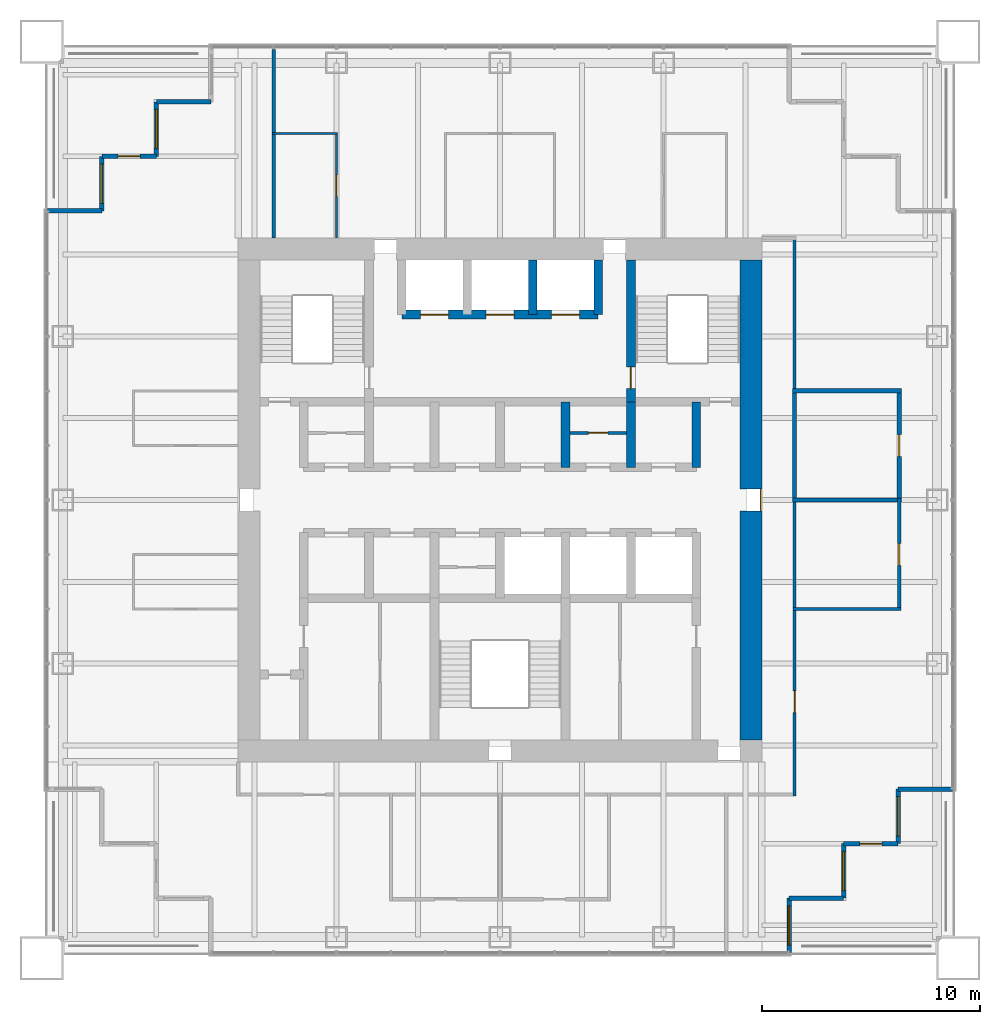
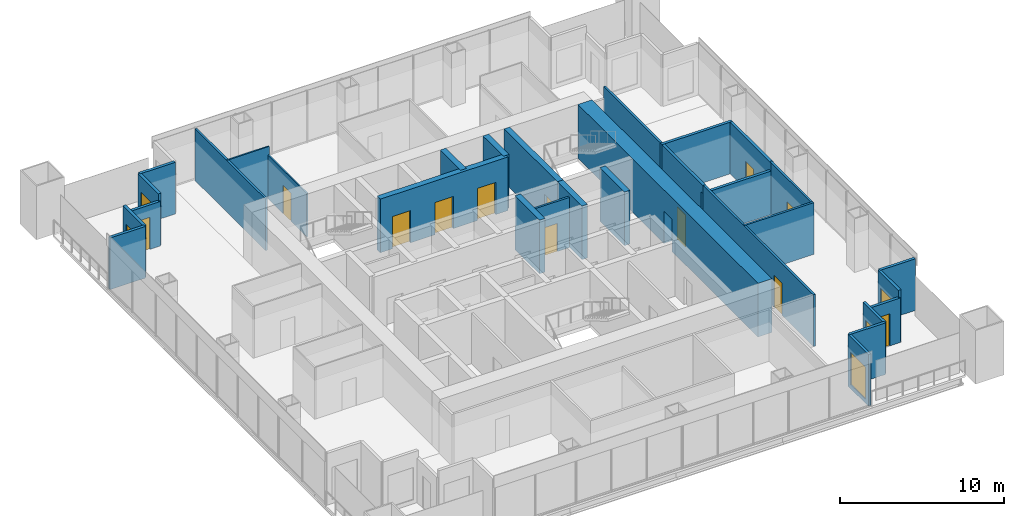
# One storey, part 11 of 14: 31 walls, 12 doors, 5 windows, 17 openings.
"""IFC4 building model written with IfcOpenShell, lengths in metres."""

from ifc_helpers import new_model, si_unit, direction, frame, frame_2d, origin, place, context, subcontext, project, spatial, rectangle, extrude, material, layer, layer_set, type_object, element, fill, save


model = new_model("IFC4")

# Units and contexts
model_context = context("Model", 3, precision=1e-05, world=origin(), true_north=direction((0.0, 1.0)))
body_context = subcontext(model_context, "Body", "Model", "MODEL_VIEW")
ifc_project = project(units=[si_unit("LENGTHUNIT", "METRE"), si_unit("AREAUNIT", "SQUARE_METRE"), si_unit("VOLUMEUNIT", "CUBIC_METRE"), si_unit("PLANEANGLEUNIT", "RADIAN"), si_unit("MASSUNIT", "GRAM", prefix="KILO")], contexts=[model_context])

# Site, building, storey
site_placement = place(None, origin())
site = spatial("IfcSite", under=ifc_project, at=site_placement, CompositionType="ELEMENT")
building_placement = place(site_placement, origin())
building = spatial("IfcBuilding", under=site, at=building_placement, Name="Tarangal Relay Tower", CompositionType="ELEMENT")
storey_placement = place(building_placement, frame((0.0, 0.0, 291.89990234375)))
storey = spatial("IfcBuildingStorey", under=building, at=storey_placement, Name="L64", CompositionType="ELEMENT", Elevation=291.89990234375)

# Walls
ifc_material_1 = material(Name="Two layers gypsum board each side on twin steel studs, mineral wool", Category="steel")
ifc_layer_1 = layer(ifc_material_1, 0.199951171875)
ifc_layer_set_1 = layer_set([ifc_layer_1], Name="Acoustic partition 200")
wall_type_1 = type_object("IfcWallType", Name="Acoustic partition 200", PredefinedType="PARTITIONING", material=ifc_layer_set_1)
wall_1_placement = place(storey_placement, frame((13.39990234375, 0.0, 0.0), z_axis=(0.0, 0.0, 1.0), x_axis=(1.0, 0.0, 0.0)))
element("IfcWall", 1, at=wall_1_placement, inside=storey, type_object=wall_type_1, Name="Partition PT2 L64", PredefinedType="PARTITIONING", context=body_context, shape_type="SweptSolid", body=[
    extrude(rectangle(XDim=5.0, YDim=0.199951171875, at=frame_2d((2.5, 0.0))), origin(), (0.0, 0.0, 1.0), 3.2431640625),
])
wall_2_placement = place(storey_placement, frame((13.39990234375, 5.0, 0.0), z_axis=(0.0, 0.0, 1.0), x_axis=(1.0, 0.0, 0.0)))
element("IfcWall", 2, at=wall_2_placement, inside=storey, type_object=wall_type_1, Name="Partition PT2 L64", PredefinedType="PARTITIONING", context=body_context, shape_type="SweptSolid", body=[
    extrude(rectangle(XDim=5.0, YDim=0.199951171875, at=frame_2d((2.5, 0.0))), origin(), (0.0, 0.0, 1.0), 3.85009765625),
])
wall_3_placement = place(storey_placement, frame((13.5, -0.10009765625, 0.0), z_axis=(0.0, 0.0, 1.0), x_axis=(0.0, 1.0, 0.0)))
element("IfcWall", 3, at=wall_3_placement, inside=storey, type_object=wall_type_1, Name="Partition PT2 L64", PredefinedType="PARTITIONING", context=body_context, shape_type="SweptSolid", body=[
    extrude(rectangle(XDim=5.2001953125, YDim=0.199951171875, at=frame_2d((2.60009765625, 0.0))), origin(), (0.0, 0.0, 1.0), 3.85009765625),
])

# Wall, opening, door
wall_4_placement = place(storey_placement, frame((18.300048828125, -0.10009765625, 0.0), z_axis=(0.0, 0.0, 1.0), x_axis=(0.0, 1.0, 0.0)))
wall_4 = element("IfcWall", 4, at=wall_4_placement, inside=storey, type_object=wall_type_1, Name="Partition PT2 L64", PredefinedType="PARTITIONING", context=body_context, shape_type="SweptSolid", body=[
    extrude(rectangle(XDim=5.2001953125, YDim=0.199951171875, at=frame_2d((2.60009765625, 0.0))), origin(), (0.0, 0.0, 1.0), 3.85009765625),
])
opening_1_placement = place(wall_4_placement, frame((2.10009765625, 0.0, 0.0)))
opening_1 = element("IfcOpeningElement", 5, at=opening_1_placement, cuts=wall_4, Name="Opening D2", PredefinedType="OPENING", context=body_context, shape_type="SweptSolid", body=[
    extrude(rectangle(XDim=1.0, YDim=2.10009765625, at=frame_2d((0.5, 1.050048828125))), frame((0.0, 0.10986328125, 0.0), z_axis=(0.0, -1.0, 0.0), x_axis=(1.0, 0.0, 0.0)), (0.0, 0.0, 1.0), 0.219970703125),
])
ifc_material_2 = material(Name="Hardwood door", Category="wood")
door_type_1 = type_object("IfcDoorType", Name="Door 1000 x 2100", OperationType="SINGLE_SWING_LEFT", PredefinedType="DOOR", material=ifc_material_2)
door_1_placement = place(opening_1_placement, origin())
door_1 = element("IfcDoor", 6, at=door_1_placement, inside=storey, type_object=door_type_1, Name="Door D2 to wellness room L64-05", OperationType="SINGLE_SWING_LEFT", OverallHeight=2.10009765625, OverallWidth=1.0, PredefinedType="DOOR", context=body_context, shape_type="SweptSolid", body=[
    extrude(rectangle(XDim=1.0, YDim=2.10009765625, at=frame_2d((0.5, 1.050048828125))), frame((0.0, 0.02490234375, 0.0), z_axis=(0.0, -1.0, 0.0), x_axis=(1.0, 0.0, 0.0)), (0.0, 0.0, 1.0), 0.050048828125),
])
fill(opening_1, door_1)

# Wall, openings, doors
ifc_material_3 = material(Name="Concrete fc' 60 MPa", Category="concrete")
ifc_layer_2 = layer(ifc_material_3, 0.39990234375)
ifc_layer_set_2 = layer_set([ifc_layer_2], Name="Core inner wall 400")
wall_type_2 = type_object("IfcWallType", Name="Core inner wall 400", PredefinedType="SHEAR", material=ifc_layer_set_2)
wall_5_placement = place(storey_placement, frame((-4.5, 8.5, 0.0), z_axis=(0.0, 0.0, 1.0), x_axis=(1.0, 0.0, 0.0)))
wall_5 = element("IfcWall", 7, at=wall_5_placement, inside=storey, type_object=wall_type_2, Name="Core wall Y85 L64", PredefinedType="SHEAR", context=body_context, shape_type="SweptSolid", body=[
    extrude(rectangle(XDim=9.0, YDim=0.39990234375, at=frame_2d((4.5, 0.0))), origin(), (0.0, 0.0, 1.0), 4.0),
])
opening_2_placement = place(wall_5_placement, frame((0.85009765625, 0.0, 0.0)))
opening_2 = element("IfcOpeningElement", 8, at=opening_2_placement, cuts=wall_5, Name="Opening LD2", PredefinedType="OPENING", context=body_context, shape_type="SweptSolid", body=[
    extrude(rectangle(XDim=1.300048828125, YDim=2.39990234375, at=frame_2d((0.64990234375, 1.199951171875))), frame((0.0, 0.2099609375, 0.0), z_axis=(0.0, -1.0, 0.0), x_axis=(1.0, 0.0, 0.0)), (0.0, 0.0, 1.0), 0.419921875),
])
opening_3_placement = place(wall_5_placement, frame((6.85009765625, 0.0, 0.0)))
opening_3 = element("IfcOpeningElement", 9, at=opening_3_placement, cuts=wall_5, Name="Opening LD2", PredefinedType="OPENING", context=body_context, shape_type="SweptSolid", body=[
    extrude(rectangle(XDim=1.300048828125, YDim=2.39990234375, at=frame_2d((0.64990234375, 1.199951171875))), frame((0.0, 0.2099609375, 0.0), z_axis=(0.0, -1.0, 0.0), x_axis=(1.0, 0.0, 0.0)), (0.0, 0.0, 1.0), 0.419921875),
])
opening_4_placement = place(wall_5_placement, frame((3.85009765625, 0.0, 0.0)))
opening_4 = element("IfcOpeningElement", 10, at=opening_4_placement, cuts=wall_5, Name="Opening LD2", PredefinedType="OPENING", context=body_context, shape_type="SweptSolid", body=[
    extrude(rectangle(XDim=1.300048828125, YDim=2.39990234375, at=frame_2d((0.64990234375, 1.199951171875))), frame((0.0, 0.2099609375, 0.0), z_axis=(0.0, -1.0, 0.0), x_axis=(1.0, 0.0, 0.0)), (0.0, 0.0, 1.0), 0.419921875),
])
ifc_material_4 = material(Name="Steel door with hardwood frame", Category="steel")
door_type_2 = type_object("IfcDoorType", Name="Lift landing door 1300 x 2400", OperationType="SLIDING_TO_LEFT", PredefinedType="DOOR", material=ifc_material_4)
door_2_placement = place(opening_2_placement, origin())
door_2 = element("IfcDoor", 11, at=door_2_placement, inside=storey, type_object=door_type_2, Name="Lift FF1 landing door L64", OperationType="SLIDING_TO_LEFT", OverallHeight=2.39990234375, OverallWidth=1.300048828125, PredefinedType="DOOR", context=body_context, shape_type="SweptSolid", body=[
    extrude(rectangle(XDim=1.300048828125, YDim=2.39990234375, at=frame_2d((0.64990234375, 1.199951171875))), frame((0.0, 0.02490234375, 0.0), z_axis=(0.0, -1.0, 0.0), x_axis=(1.0, 0.0, 0.0)), (0.0, 0.0, 1.0), 0.050048828125),
])
fill(opening_2, door_2)
door_3_placement = place(opening_3_placement, origin())
door_3 = element("IfcDoor", 12, at=door_3_placement, inside=storey, type_object=door_type_2, Name="Lift FF2 landing door L64", OperationType="SLIDING_TO_LEFT", OverallHeight=2.39990234375, OverallWidth=1.300048828125, PredefinedType="DOOR", context=body_context, shape_type="SweptSolid", body=[
    extrude(rectangle(XDim=1.300048828125, YDim=2.39990234375, at=frame_2d((0.64990234375, 1.199951171875))), frame((0.0, 0.02490234375, 0.0), z_axis=(0.0, -1.0, 0.0), x_axis=(1.0, 0.0, 0.0)), (0.0, 0.0, 1.0), 0.050048828125),
])
fill(opening_3, door_3)
door_4_placement = place(opening_4_placement, origin())
door_4 = element("IfcDoor", 13, at=door_4_placement, inside=storey, type_object=door_type_2, Name="Lift SV1 landing door L64", OperationType="SLIDING_TO_LEFT", OverallHeight=2.39990234375, OverallWidth=1.300048828125, PredefinedType="DOOR", context=body_context, shape_type="SweptSolid", body=[
    extrude(rectangle(XDim=1.300048828125, YDim=2.39990234375, at=frame_2d((0.64990234375, 1.199951171875))), frame((0.0, 0.02490234375, 0.0), z_axis=(0.0, -1.0, 0.0), x_axis=(1.0, 0.0, 0.0)), (0.0, 0.0, 1.0), 0.050048828125),
])
fill(opening_4, door_4)

# Walls
for number, where, z_axis, x_axis, name in (
    (14, (9.0, 1.5, 0.0), (0.0, 0.0, 1.0), (0.0, 1.0, 0.0), "Core wall X9N L64"),
    (15, (3.0, 1.5, 0.0), (0.0, 0.0, 1.0), (0.0, 1.0, 0.0), "Core wall X3N L64"),
    (16, (6.0, 1.5, 0.0), (0.0, 0.0, 1.0), (0.0, 1.0, 0.0), "Core wall X6N L64"),
):
    element("IfcWall", number, at=place(storey_placement, frame(where, z_axis=z_axis, x_axis=x_axis)), inside=storey, type_object=wall_type_2, Name=name, PredefinedType="SHEAR", context=body_context, shape_type="SweptSolid", body=[
        extrude(rectangle(XDim=3.0, YDim=0.39990234375, at=frame_2d((1.5, 0.0))), origin(), (0.0, 0.0, 1.0), 4.0),
    ])

# Wall, opening, door
wall_6_placement = place(storey_placement, frame((6.0, 4.5, 0.0), z_axis=(0.0, 0.0, 1.0), x_axis=(0.0, 1.0, 0.0)))
wall_6 = element("IfcWall", 17, at=wall_6_placement, inside=storey, type_object=wall_type_2, Name="Core wall X6 L64", PredefinedType="SHEAR", context=body_context, shape_type="SweptSolid", body=[
    extrude(rectangle(XDim=6.5, YDim=0.39990234375, at=frame_2d((3.25, 0.0))), origin(), (0.0, 0.0, 1.0), 4.0),
])
opening_5_placement = place(wall_6_placement, frame((0.60009765625, 0.0, 0.0)))
opening_5 = element("IfcOpeningElement", 18, at=opening_5_placement, cuts=wall_6, Name="Opening FD1", PredefinedType="OPENING", context=body_context, shape_type="SweptSolid", body=[
    extrude(rectangle(XDim=1.0, YDim=2.10009765625, at=frame_2d((0.5, 1.050048828125))), frame((0.0, 0.2099609375, 0.0), z_axis=(0.0, -1.0, 0.0), x_axis=(1.0, 0.0, 0.0)), (0.0, 0.0, 1.0), 0.419921875),
])
door_type_3 = type_object("IfcDoorType", Name="Fire door 1000 x 2100", OperationType="SINGLE_SWING_LEFT", PredefinedType="DOOR", material=ifc_material_4)
door_5_placement = place(opening_5_placement, origin())
door_5 = element("IfcDoor", 19, at=door_5_placement, inside=storey, type_object=door_type_3, Name="Stair ST-B door from fire-fighting lobby L64", OperationType="SINGLE_SWING_LEFT", OverallHeight=2.10009765625, OverallWidth=1.0, PredefinedType="DOOR", context=body_context, shape_type="SweptSolid", body=[
    extrude(rectangle(XDim=1.0, YDim=2.10009765625, at=frame_2d((0.5, 1.050048828125))), frame((0.0, 0.02490234375, 0.0), z_axis=(0.0, -1.0, 0.0), x_axis=(1.0, 0.0, 0.0)), (0.0, 0.0, 1.0), 0.050048828125),
])
fill(opening_5, door_5)

# Walls
for number, where, z_axis, x_axis, name in (
    (20, (4.5, 8.5, 0.0), (0.0, 0.0, 1.0), (0.0, 1.0, 0.0), "Core wall X45 L64"),
    (21, (1.5, 8.5, 0.0), (0.0, 0.0, 1.0), (0.0, 1.0, 0.0), "Core wall X15 L64"),
):
    element("IfcWall", number, at=place(storey_placement, frame(where, z_axis=z_axis, x_axis=x_axis)), inside=storey, type_object=wall_type_2, Name=name, PredefinedType="SHEAR", context=body_context, shape_type="SweptSolid", body=[
        extrude(rectangle(XDim=2.5, YDim=0.39990234375, at=frame_2d((1.25, 0.0))), origin(), (0.0, 0.0, 1.0), 4.0),
    ])

# Wall, opening, door
ifc_layer_3 = layer(ifc_material_3, 1.0)
ifc_layer_set_3 = layer_set([ifc_layer_3], Name="Core wall 1000")
wall_type_3 = type_object("IfcWallType", Name="Core wall 1000", PredefinedType="SHEAR", material=ifc_layer_set_3)
wall_7_placement = place(storey_placement, frame((11.5, 11.0, 0.0), z_axis=(0.0, 0.0, 1.0), x_axis=(0.0, -1.0, 0.0)))
wall_7 = element("IfcWall", 22, at=wall_7_placement, inside=storey, type_object=wall_type_3, Name="Core wall E L64", PredefinedType="SHEAR", context=body_context, shape_type="SweptSolid", body=[
    extrude(rectangle(XDim=22.0, YDim=1.0, at=frame_2d((11.0, 0.0))), origin(), (0.0, 0.0, 1.0), 4.0),
])
opening_6_placement = place(wall_7_placement, frame((10.5, 0.0, 0.0)))
opening_6 = element("IfcOpeningElement", 23, at=opening_6_placement, cuts=wall_7, Name="Opening FD3", PredefinedType="OPENING", context=body_context, shape_type="SweptSolid", body=[
    extrude(rectangle(XDim=1.0, YDim=2.39990234375, at=frame_2d((0.5, 1.199951171875))), frame((0.0, 0.510009765625, 0.0), z_axis=(0.0, -1.0, 0.0), x_axis=(1.0, 0.0, 0.0)), (0.0, 0.0, 1.0), 1.02001953125),
])
door_type_4 = type_object("IfcDoorType", Name="Fire door 1000 x 2400 core entry", OperationType="SINGLE_SWING_RIGHT", PredefinedType="DOOR", material=ifc_material_4)
door_6_placement = place(opening_6_placement, origin())
door_6 = element("IfcDoor", 24, at=door_6_placement, inside=storey, type_object=door_type_4, Name="Core entry door east L64", OperationType="SINGLE_SWING_RIGHT", OverallHeight=2.39990234375, OverallWidth=1.0, PredefinedType="DOOR", context=body_context, shape_type="SweptSolid", body=[
    extrude(rectangle(XDim=1.0, YDim=2.39990234375, at=frame_2d((0.5, 1.199951171875))), frame((0.0, 0.48486328125, 0.0), z_axis=(0.0, -1.0, 0.0), x_axis=(1.0, 0.0, 0.0)), (0.0, 0.0, 1.0), 0.050048828125),
])
fill(opening_6, door_6)

# Wall
ifc_material_5 = material(Name="Black metal clad insulated wall", Category="steel")
ifc_layer_4 = layer(ifc_material_5, 0.199951171875)
ifc_layer_set_4 = layer_set([ifc_layer_4], Name="Corner wall metal clad 200")
wall_type_4 = type_object("IfcWallType", Name="Corner wall metal clad 200", PredefinedType="SOLIDWALL", material=ifc_layer_set_4)
wall_8_placement = place(storey_placement, frame((20.75, -13.25, 0.0), z_axis=(0.0, 0.0, 1.0), x_axis=(-1.0, 0.0, 0.0)))
element("IfcWall", 25, at=wall_8_placement, inside=storey, type_object=wall_type_4, Name="Facade wall E facade L64", PredefinedType="SOLIDWALL", context=body_context, shape_type="SweptSolid", body=[
    extrude(rectangle(XDim=2.5, YDim=0.199951171875, at=frame_2d((1.25, 0.0))), origin(), (0.0, 0.0, 1.0), 3.85009765625),
])

# Wall, opening, window
wall_9_placement = place(storey_placement, frame((18.25, -13.25, 0.0), z_axis=(0.0, 0.0, 1.0), x_axis=(0.0, -1.0, 0.0)))
wall_9 = element("IfcWall", 26, at=wall_9_placement, inside=storey, type_object=wall_type_4, Name="Facade wall E facade L64", PredefinedType="SOLIDWALL", context=body_context, shape_type="SweptSolid", body=[
    extrude(rectangle(XDim=2.5, YDim=0.199951171875, at=frame_2d((1.25, 0.0))), origin(), (0.0, 0.0, 1.0), 3.85009765625),
])
opening_7_placement = place(wall_9_placement, frame((0.35009765625, 0.0, 0.300048828125)))
opening_7 = element("IfcOpeningElement", 27, at=opening_7_placement, cuts=wall_9, Name="Opening WN2", PredefinedType="OPENING", context=body_context, shape_type="SweptSolid", body=[
    extrude(rectangle(XDim=1.800048828125, YDim=2.39990234375, at=frame_2d((0.89990234375, 1.199951171875))), frame((0.0, 0.10986328125, 0.0), z_axis=(0.0, -1.0, 0.0), x_axis=(1.0, 0.0, 0.0)), (0.0, 0.0, 1.0), 0.219970703125),
])
ifc_material_6 = material(Name="Dark tinted double glazing in black aluminium frame", Category="aluminium")
window_type = type_object("IfcWindowType", Name="Corner window 1800 x 2400", PartitioningType="SINGLE_PANEL", PredefinedType="WINDOW", material=ifc_material_6)
window_1_placement = place(opening_7_placement, origin())
window_1 = element("IfcWindow", 28, at=window_1_placement, inside=storey, type_object=window_type, Name="Corner window WN2 E facade L64", OverallHeight=2.39990234375, OverallWidth=1.800048828125, PartitioningType="SINGLE_PANEL", PredefinedType="WINDOW", context=body_context, shape_type="SweptSolid", body=[
    extrude(rectangle(XDim=1.800048828125, YDim=2.39990234375, at=frame_2d((0.89990234375, 1.199951171875))), frame((0.0, 0.030029296875, 0.0), z_axis=(0.0, -1.0, 0.0), x_axis=(1.0, 0.0, 0.0)), (0.0, 0.0, 1.0), 0.06005859375),
])
fill(opening_7, window_1)

# Wall, opening, door
wall_10_placement = place(storey_placement, frame((18.25, -15.75, 0.0), z_axis=(0.0, 0.0, 1.0), x_axis=(-1.0, 0.0, 0.0)))
wall_10 = element("IfcWall", 29, at=wall_10_placement, inside=storey, type_object=wall_type_4, Name="Facade wall E facade L64", PredefinedType="SOLIDWALL", context=body_context, shape_type="SweptSolid", body=[
    extrude(rectangle(XDim=2.5, YDim=0.199951171875, at=frame_2d((1.25, 0.0))), origin(), (0.0, 0.0, 1.0), 3.316650390625),
])
opening_8_placement = place(wall_10_placement, frame((0.75, 0.0, 0.0)))
opening_8 = element("IfcOpeningElement", 30, at=opening_8_placement, cuts=wall_10, Name="Opening TD1", PredefinedType="OPENING", context=body_context, shape_type="SweptSolid", body=[
    extrude(rectangle(XDim=1.0, YDim=2.39990234375, at=frame_2d((0.5, 1.199951171875))), frame((0.0, 0.10986328125, 0.0), z_axis=(0.0, -1.0, 0.0), x_axis=(1.0, 0.0, 0.0)), (0.0, 0.0, 1.0), 0.219970703125),
])
ifc_material_7 = material(Name="Aluminium glazed door", Category="aluminium")
door_type_5 = type_object("IfcDoorType", Name="Terrace door 1000 x 2400", OperationType="SINGLE_SWING_RIGHT", PredefinedType="DOOR", material=ifc_material_7)
door_7_placement = place(opening_8_placement, origin())
door_7 = element("IfcDoor", 31, at=door_7_placement, inside=storey, type_object=door_type_5, Name="Terrace door TD1 SE L64", OperationType="SINGLE_SWING_RIGHT", OverallHeight=2.39990234375, OverallWidth=1.0, PredefinedType="DOOR", context=body_context, shape_type="SweptSolid", body=[
    extrude(rectangle(XDim=1.0, YDim=2.39990234375, at=frame_2d((0.5, 1.199951171875))), frame((0.0, 0.02490234375, 0.0), z_axis=(0.0, -1.0, 0.0), x_axis=(1.0, 0.0, 0.0)), (0.0, 0.0, 1.0), 0.050048828125),
])
fill(opening_8, door_7)

# Wall, opening, window
wall_11_placement = place(storey_placement, frame((15.75, -15.75, 0.0), z_axis=(0.0, 0.0, 1.0), x_axis=(0.0, -1.0, 0.0)))
wall_11 = element("IfcWall", 32, at=wall_11_placement, inside=storey, type_object=wall_type_4, Name="Facade wall E facade L64", PredefinedType="SOLIDWALL", context=body_context, shape_type="SweptSolid", body=[
    extrude(rectangle(XDim=2.5, YDim=0.199951171875, at=frame_2d((1.25, 0.0))), origin(), (0.0, 0.0, 1.0), 3.85009765625),
])
opening_9_placement = place(wall_11_placement, frame((0.35009765625, 0.0, 0.300048828125)))
opening_9 = element("IfcOpeningElement", 33, at=opening_9_placement, cuts=wall_11, Name="Opening WN2", PredefinedType="OPENING", context=body_context, shape_type="SweptSolid", body=[
    extrude(rectangle(XDim=1.800048828125, YDim=2.39990234375, at=frame_2d((0.89990234375, 1.199951171875))), frame((0.0, 0.10986328125, 0.0), z_axis=(0.0, -1.0, 0.0), x_axis=(1.0, 0.0, 0.0)), (0.0, 0.0, 1.0), 0.219970703125),
])
window_2_placement = place(opening_9_placement, origin())
window_2 = element("IfcWindow", 34, at=window_2_placement, inside=storey, type_object=window_type, Name="Corner window WN2 E facade L64", OverallHeight=2.39990234375, OverallWidth=1.800048828125, PartitioningType="SINGLE_PANEL", PredefinedType="WINDOW", context=body_context, shape_type="SweptSolid", body=[
    extrude(rectangle(XDim=1.800048828125, YDim=2.39990234375, at=frame_2d((0.89990234375, 1.199951171875))), frame((0.0, 0.030029296875, 0.0), z_axis=(0.0, -1.0, 0.0), x_axis=(1.0, 0.0, 0.0)), (0.0, 0.0, 1.0), 0.06005859375),
])
fill(opening_9, window_2)

# Wall
wall_12_placement = place(storey_placement, frame((15.75, -18.25, 0.0), z_axis=(0.0, 0.0, 1.0), x_axis=(-1.0, 0.0, 0.0)))
element("IfcWall", 35, at=wall_12_placement, inside=storey, type_object=wall_type_4, Name="Facade wall E facade L64", PredefinedType="SOLIDWALL", context=body_context, shape_type="SweptSolid", body=[
    extrude(rectangle(XDim=2.5, YDim=0.199951171875, at=frame_2d((1.25, 0.0))), origin(), (0.0, 0.0, 1.0), 3.85009765625),
])

# Wall, opening, window
wall_13_placement = place(storey_placement, frame((13.25, -18.25, 0.0), z_axis=(0.0, 0.0, 1.0), x_axis=(0.0, -1.0, 0.0)))
wall_13 = element("IfcWall", 36, at=wall_13_placement, inside=storey, type_object=wall_type_4, Name="Facade wall E facade L64", PredefinedType="SOLIDWALL", context=body_context, shape_type="SweptSolid", body=[
    extrude(rectangle(XDim=2.5, YDim=0.199951171875, at=frame_2d((1.25, 0.0))), origin(), (0.0, 0.0, 1.0), 3.85009765625),
])
opening_10_placement = place(wall_13_placement, frame((0.35009765625, 0.0, 0.300048828125)))
opening_10 = element("IfcOpeningElement", 37, at=opening_10_placement, cuts=wall_13, Name="Opening WN2", PredefinedType="OPENING", context=body_context, shape_type="SweptSolid", body=[
    extrude(rectangle(XDim=1.800048828125, YDim=2.39990234375, at=frame_2d((0.89990234375, 1.199951171875))), frame((0.0, 0.10986328125, 0.0), z_axis=(0.0, -1.0, 0.0), x_axis=(1.0, 0.0, 0.0)), (0.0, 0.0, 1.0), 0.219970703125),
])
window_3_placement = place(opening_10_placement, origin())
window_3 = element("IfcWindow", 38, at=window_3_placement, inside=storey, type_object=window_type, Name="Corner window WN2 E facade L64", OverallHeight=2.39990234375, OverallWidth=1.800048828125, PartitioningType="SINGLE_PANEL", PredefinedType="WINDOW", context=body_context, shape_type="SweptSolid", body=[
    extrude(rectangle(XDim=1.800048828125, YDim=2.39990234375, at=frame_2d((0.89990234375, 1.199951171875))), frame((0.0, 0.030029296875, 0.0), z_axis=(0.0, -1.0, 0.0), x_axis=(1.0, 0.0, 0.0)), (0.0, 0.0, 1.0), 0.06005859375),
])
fill(opening_10, window_3)

# Wall
wall_14_placement = place(storey_placement, frame((-20.75, 13.25, 0.0), z_axis=(0.0, 0.0, 1.0), x_axis=(1.0, 0.0, 0.0)))
element("IfcWall", 39, at=wall_14_placement, inside=storey, type_object=wall_type_4, Name="Facade wall W facade L64", PredefinedType="SOLIDWALL", context=body_context, shape_type="SweptSolid", body=[
    extrude(rectangle(XDim=2.5, YDim=0.199951171875, at=frame_2d((1.25, 0.0))), origin(), (0.0, 0.0, 1.0), 3.85009765625),
])

# Wall, opening, window
wall_15_placement = place(storey_placement, frame((-18.25, 13.25, 0.0), z_axis=(0.0, 0.0, 1.0), x_axis=(0.0, 1.0, 0.0)))
wall_15 = element("IfcWall", 40, at=wall_15_placement, inside=storey, type_object=wall_type_4, Name="Facade wall W facade L64", PredefinedType="SOLIDWALL", context=body_context, shape_type="SweptSolid", body=[
    extrude(rectangle(XDim=2.5, YDim=0.199951171875, at=frame_2d((1.25, 0.0))), origin(), (0.0, 0.0, 1.0), 3.85009765625),
])
opening_11_placement = place(wall_15_placement, frame((0.35009765625, 0.0, 0.300048828125)))
opening_11 = element("IfcOpeningElement", 41, at=opening_11_placement, cuts=wall_15, Name="Opening WN2", PredefinedType="OPENING", context=body_context, shape_type="SweptSolid", body=[
    extrude(rectangle(XDim=1.800048828125, YDim=2.39990234375, at=frame_2d((0.89990234375, 1.199951171875))), frame((0.0, 0.10986328125, 0.0), z_axis=(0.0, -1.0, 0.0), x_axis=(1.0, 0.0, 0.0)), (0.0, 0.0, 1.0), 0.219970703125),
])
window_4_placement = place(opening_11_placement, origin())
window_4 = element("IfcWindow", 42, at=window_4_placement, inside=storey, type_object=window_type, Name="Corner window WN2 W facade L64", OverallHeight=2.39990234375, OverallWidth=1.800048828125, PartitioningType="SINGLE_PANEL", PredefinedType="WINDOW", context=body_context, shape_type="SweptSolid", body=[
    extrude(rectangle(XDim=1.800048828125, YDim=2.39990234375, at=frame_2d((0.89990234375, 1.199951171875))), frame((0.0, 0.030029296875, 0.0), z_axis=(0.0, -1.0, 0.0), x_axis=(1.0, 0.0, 0.0)), (0.0, 0.0, 1.0), 0.06005859375),
])
fill(opening_11, window_4)

# Wall, opening, door
wall_16_placement = place(storey_placement, frame((-18.25, 15.75, 0.0), z_axis=(0.0, 0.0, 1.0), x_axis=(1.0, 0.0, 0.0)))
wall_16 = element("IfcWall", 43, at=wall_16_placement, inside=storey, type_object=wall_type_4, Name="Facade wall W facade L64", PredefinedType="SOLIDWALL", context=body_context, shape_type="SweptSolid", body=[
    extrude(rectangle(XDim=2.5, YDim=0.199951171875, at=frame_2d((1.25, 0.0))), origin(), (0.0, 0.0, 1.0), 3.316650390625),
])
opening_12_placement = place(wall_16_placement, frame((0.75, 0.0, 0.0)))
opening_12 = element("IfcOpeningElement", 44, at=opening_12_placement, cuts=wall_16, Name="Opening TD1", PredefinedType="OPENING", context=body_context, shape_type="SweptSolid", body=[
    extrude(rectangle(XDim=1.0, YDim=2.39990234375, at=frame_2d((0.5, 1.199951171875))), frame((0.0, 0.10986328125, 0.0), z_axis=(0.0, -1.0, 0.0), x_axis=(1.0, 0.0, 0.0)), (0.0, 0.0, 1.0), 0.219970703125),
])
door_8_placement = place(opening_12_placement, origin())
door_8 = element("IfcDoor", 45, at=door_8_placement, inside=storey, type_object=door_type_5, Name="Terrace door TD1 NW L64", OperationType="SINGLE_SWING_RIGHT", OverallHeight=2.39990234375, OverallWidth=1.0, PredefinedType="DOOR", context=body_context, shape_type="SweptSolid", body=[
    extrude(rectangle(XDim=1.0, YDim=2.39990234375, at=frame_2d((0.5, 1.199951171875))), frame((0.0, 0.02490234375, 0.0), z_axis=(0.0, -1.0, 0.0), x_axis=(1.0, 0.0, 0.0)), (0.0, 0.0, 1.0), 0.050048828125),
])
fill(opening_12, door_8)

# Wall, opening, window
wall_17_placement = place(storey_placement, frame((-15.75, 15.75, 0.0), z_axis=(0.0, 0.0, 1.0), x_axis=(0.0, 1.0, 0.0)))
wall_17 = element("IfcWall", 46, at=wall_17_placement, inside=storey, type_object=wall_type_4, Name="Facade wall W facade L64", PredefinedType="SOLIDWALL", context=body_context, shape_type="SweptSolid", body=[
    extrude(rectangle(XDim=2.5, YDim=0.199951171875, at=frame_2d((1.25, 0.0))), origin(), (0.0, 0.0, 1.0), 3.85009765625),
])
opening_13_placement = place(wall_17_placement, frame((0.35009765625, 0.0, 0.300048828125)))
opening_13 = element("IfcOpeningElement", 47, at=opening_13_placement, cuts=wall_17, Name="Opening WN2", PredefinedType="OPENING", context=body_context, shape_type="SweptSolid", body=[
    extrude(rectangle(XDim=1.800048828125, YDim=2.39990234375, at=frame_2d((0.89990234375, 1.199951171875))), frame((0.0, 0.10986328125, 0.0), z_axis=(0.0, -1.0, 0.0), x_axis=(1.0, 0.0, 0.0)), (0.0, 0.0, 1.0), 0.219970703125),
])
window_5_placement = place(opening_13_placement, origin())
window_5 = element("IfcWindow", 48, at=window_5_placement, inside=storey, type_object=window_type, Name="Corner window WN2 W facade L64", OverallHeight=2.39990234375, OverallWidth=1.800048828125, PartitioningType="SINGLE_PANEL", PredefinedType="WINDOW", context=body_context, shape_type="SweptSolid", body=[
    extrude(rectangle(XDim=1.800048828125, YDim=2.39990234375, at=frame_2d((0.89990234375, 1.199951171875))), frame((0.0, 0.030029296875, 0.0), z_axis=(0.0, -1.0, 0.0), x_axis=(1.0, 0.0, 0.0)), (0.0, 0.0, 1.0), 0.06005859375),
])
fill(opening_13, window_5)

# Walls
wall_18_placement = place(storey_placement, frame((-15.75, 18.25, 0.0), z_axis=(0.0, 0.0, 1.0), x_axis=(1.0, 0.0, 0.0)))
element("IfcWall", 49, at=wall_18_placement, inside=storey, type_object=wall_type_4, Name="Facade wall W facade L64", PredefinedType="SOLIDWALL", context=body_context, shape_type="SweptSolid", body=[
    extrude(rectangle(XDim=2.5, YDim=0.199951171875, at=frame_2d((1.25, 0.0))), origin(), (0.0, 0.0, 1.0), 3.85009765625),
])
ifc_material_8 = material(Name="Double glazed aluminium framed partition", Category="aluminium")
ifc_layer_5 = layer(ifc_material_8, 0.10009765625)
ifc_layer_set_5 = layer_set([ifc_layer_5], Name="Glazed partition 100")
wall_type_5 = type_object("IfcWallType", Name="Glazed partition 100", PredefinedType="PARTITIONING", material=ifc_layer_set_5)
wall_19_placement = place(storey_placement, frame((-10.425048828125, 16.800048828125, 0.0), z_axis=(0.0, 0.0, 1.0), x_axis=(1.0, 0.0, 0.0)))
element("IfcWall", 50, at=wall_19_placement, inside=storey, type_object=wall_type_5, Name="Partition PT3 L64", PredefinedType="PARTITIONING", context=body_context, shape_type="SweptSolid", body=[
    extrude(rectangle(XDim=2.97509765625, YDim=0.10009765625, at=frame_2d((1.487548828125, 0.0))), origin(), (0.0, 0.0, 1.0), 3.85009765625),
])

# Wall, opening, door
wall_20_placement = place(storey_placement, frame((-7.5, 12.0, 0.0), z_axis=(0.0, 0.0, 1.0), x_axis=(0.0, 1.0, 0.0)))
wall_20 = element("IfcWall", 51, at=wall_20_placement, inside=storey, type_object=wall_type_5, Name="Partition PT3 L64", PredefinedType="PARTITIONING", context=body_context, shape_type="SweptSolid", body=[
    extrude(rectangle(XDim=4.85009765625, YDim=0.10009765625, at=frame_2d((2.425048828125, 0.0))), origin(), (0.0, 0.0, 1.0), 3.2431640625),
])
opening_14_placement = place(wall_20_placement, frame((1.89990234375, 0.0, 0.0)))
opening_14 = element("IfcOpeningElement", 52, at=opening_14_placement, cuts=wall_20, Name="Opening D3", PredefinedType="OPENING", context=body_context, shape_type="SweptSolid", body=[
    extrude(rectangle(XDim=1.0, YDim=2.10009765625, at=frame_2d((0.5, 1.050048828125))), frame((0.0, 0.06005859375, 0.0), z_axis=(0.0, -1.0, 0.0), x_axis=(1.0, 0.0, 0.0)), (0.0, 0.0, 1.0), 0.1201171875),
])
ifc_material_9 = material(Name="Frameless glass door", Category="glass")
door_type_6 = type_object("IfcDoorType", Name="Glazed door 1000 x 2100", OperationType="SINGLE_SWING_LEFT", PredefinedType="DOOR", material=ifc_material_9)
door_9_placement = place(opening_14_placement, origin())
door_9 = element("IfcDoor", 53, at=door_9_placement, inside=storey, type_object=door_type_6, Name="Door D3 to project room L64-02", OperationType="SINGLE_SWING_LEFT", OverallHeight=2.10009765625, OverallWidth=1.0, PredefinedType="DOOR", context=body_context, shape_type="SweptSolid", body=[
    extrude(rectangle(XDim=1.0, YDim=2.10009765625, at=frame_2d((0.5, 1.050048828125))), frame((0.0, 0.02490234375, 0.0), z_axis=(0.0, -1.0, 0.0), x_axis=(1.0, 0.0, 0.0)), (0.0, 0.0, 1.0), 0.050048828125),
])
fill(opening_14, door_9)

# Walls
ifc_material_10 = material(Name="Gypsum board on steel studs", Category="steel")
ifc_layer_6 = layer(ifc_material_10, 0.14990234375)
ifc_layer_set_6 = layer_set([ifc_layer_6], Name="Partition 150")
wall_type_6 = type_object("IfcWallType", Name="Partition 150", PredefinedType="PARTITIONING", material=ifc_layer_set_6)
wall_21_placement = place(storey_placement, frame((13.425048828125, -5.0, 0.0), z_axis=(0.0, 0.0, 1.0), x_axis=(1.0, 0.0, 0.0)))
element("IfcWall", 54, at=wall_21_placement, inside=storey, type_object=wall_type_6, Name="Partition PT1 L64", PredefinedType="PARTITIONING", context=body_context, shape_type="SweptSolid", body=[
    extrude(rectangle(XDim=4.949951171875, YDim=0.14990234375, at=frame_2d((2.47509765625, 0.0))), origin(), (0.0, 0.0, 1.0), 3.85009765625),
])
wall_22_placement = place(storey_placement, frame((-10.375, 12.0, 0.0), z_axis=(0.0, 0.0, 1.0), x_axis=(0.0, 1.0, 0.0)))
element("IfcWall", 55, at=wall_22_placement, inside=storey, type_object=wall_type_6, Name="Partition PT1 L64", PredefinedType="PARTITIONING", context=body_context, shape_type="SweptSolid", body=[
    extrude(rectangle(XDim=8.64990234375, YDim=0.14990234375, at=frame_2d((4.324951171875, 0.0))), origin(), (0.0, 0.0, 1.0), 3.85009765625),
])

# Wall, opening, door
wall_23_placement = place(storey_placement, frame((13.5, -13.574951171875, 0.0), z_axis=(0.0, 0.0, 1.0), x_axis=(0.0, 1.0, 0.0)))
wall_23 = element("IfcWall", 56, at=wall_23_placement, inside=storey, type_object=wall_type_6, Name="Partition PT1 L64", PredefinedType="PARTITIONING", context=body_context, shape_type="SweptSolid", body=[
    extrude(rectangle(XDim=13.64990234375, YDim=0.14990234375, at=frame_2d((6.824951171875, 0.0))), origin(), (0.0, 0.0, 1.0), 3.85009765625),
])
opening_15_placement = place(wall_23_placement, frame((3.824951171875, 0.0, 0.0)))
opening_15 = element("IfcOpeningElement", 57, at=opening_15_placement, cuts=wall_23, Name="Opening SD1", PredefinedType="OPENING", context=body_context, shape_type="SweptSolid", body=[
    extrude(rectangle(XDim=1.0, YDim=2.39990234375, at=frame_2d((0.5, 1.199951171875))), frame((0.0, 0.0849609375, 0.0), z_axis=(0.0, -1.0, 0.0), x_axis=(1.0, 0.0, 0.0)), (0.0, 0.0, 1.0), 0.169921875),
])
door_type_7 = type_object("IfcDoorType", Name="Suite entrance door 1000 x 2400", OperationType="SINGLE_SWING_RIGHT", PredefinedType="DOOR", material=ifc_material_4)
door_10_placement = place(opening_15_placement, origin())
door_10 = element("IfcDoor", 58, at=door_10_placement, inside=storey, type_object=door_type_7, Name="Door SD1 to open plan office L64-11", OperationType="SINGLE_SWING_RIGHT", OverallHeight=2.39990234375, OverallWidth=1.0, PredefinedType="DOOR", context=body_context, shape_type="SweptSolid", body=[
    extrude(rectangle(XDim=1.0, YDim=2.39990234375, at=frame_2d((0.5, 1.199951171875))), frame((0.0, 0.02490234375, 0.0), z_axis=(0.0, -1.0, 0.0), x_axis=(1.0, 0.0, 0.0)), (0.0, 0.0, 1.0), 0.050048828125),
])
fill(opening_15, door_10)

# Wall
wall_24_placement = place(storey_placement, frame((13.5, 4.925048828125, 0.0), z_axis=(0.0, 0.0, 1.0), x_axis=(0.0, 1.0, 0.0)))
element("IfcWall", 59, at=wall_24_placement, inside=storey, type_object=wall_type_6, Name="Partition PT1 L64", PredefinedType="PARTITIONING", context=body_context, shape_type="SweptSolid", body=[
    extrude(rectangle(XDim=7.14990234375, YDim=0.14990234375, at=frame_2d((3.574951171875, 0.0))), origin(), (0.0, 0.0, 1.0), 3.85009765625),
])

# Wall, opening, door
wall_25_placement = place(storey_placement, frame((18.300048828125, -5.074951171875, 0.0), z_axis=(0.0, 0.0, 1.0), x_axis=(0.0, 1.0, 0.0)))
wall_25 = element("IfcWall", 60, at=wall_25_placement, inside=storey, type_object=wall_type_6, Name="Partition PT1 L64", PredefinedType="PARTITIONING", context=body_context, shape_type="SweptSolid", body=[
    extrude(rectangle(XDim=5.14990234375, YDim=0.14990234375, at=frame_2d((2.574951171875, 0.0))), origin(), (0.0, 0.0, 1.0), 3.85009765625),
])
opening_16_placement = place(wall_25_placement, frame((2.074951171875, 0.0, 0.0)))
opening_16 = element("IfcOpeningElement", 61, at=opening_16_placement, cuts=wall_25, Name="Opening D2", PredefinedType="OPENING", context=body_context, shape_type="SweptSolid", body=[
    extrude(rectangle(XDim=1.0, YDim=2.10009765625, at=frame_2d((0.5, 1.050048828125))), frame((0.0, 0.0849609375, 0.0), z_axis=(0.0, -1.0, 0.0), x_axis=(1.0, 0.0, 0.0)), (0.0, 0.0, 1.0), 0.169921875),
])
door_11_placement = place(opening_16_placement, origin())
door_11 = element("IfcDoor", 62, at=door_11_placement, inside=storey, type_object=door_type_1, Name="Door D2 to tea pantry L64-06", OperationType="SINGLE_SWING_LEFT", OverallHeight=2.10009765625, OverallWidth=1.0, PredefinedType="DOOR", context=body_context, shape_type="SweptSolid", body=[
    extrude(rectangle(XDim=1.0, YDim=2.10009765625, at=frame_2d((0.5, 1.050048828125))), frame((0.0, 0.02490234375, 0.0), z_axis=(0.0, -1.0, 0.0), x_axis=(1.0, 0.0, 0.0)), (0.0, 0.0, 1.0), 0.050048828125),
])
fill(opening_16, door_11)

wall_26_placement = place(storey_placement, frame((3.199951171875, 3.074951171875, 0.0), z_axis=(0.0, 0.0, 1.0), x_axis=(1.0, 0.0, 0.0)))
wall_26 = element("IfcWall", 63, at=wall_26_placement, inside=storey, type_object=wall_type_6, Name="Partition PT1 L64", PredefinedType="PARTITIONING", context=body_context, shape_type="SweptSolid", body=[
    extrude(rectangle(XDim=2.60009765625, YDim=0.14990234375, at=frame_2d((1.300048828125, 0.0))), origin(), (0.0, 0.0, 1.0), 3.75),
])
opening_17_placement = place(wall_26_placement, frame((0.85009765625, 0.0, 0.0)))
opening_17 = element("IfcOpeningElement", 64, at=opening_17_placement, cuts=wall_26, Name="Opening D5", PredefinedType="OPENING", context=body_context, shape_type="SweptSolid", body=[
    extrude(rectangle(XDim=0.89990234375, YDim=2.10009765625, at=frame_2d((0.449951171875, 1.050048828125))), frame((0.0, 0.0849609375, 0.0), z_axis=(0.0, -1.0, 0.0), x_axis=(1.0, 0.0, 0.0)), (0.0, 0.0, 1.0), 0.169921875),
])
door_type_8 = type_object("IfcDoorType", Name="Cupboard door 900 x 2100", OperationType="SINGLE_SWING_LEFT", PredefinedType="DOOR", material=ifc_material_2)
door_12_placement = place(opening_17_placement, origin())
door_12 = element("IfcDoor", 65, at=door_12_placement, inside=storey, type_object=door_type_8, Name="Door D5 to pantry cupboard L64-T2B", OperationType="SINGLE_SWING_LEFT", OverallHeight=2.10009765625, OverallWidth=0.89990234375, PredefinedType="DOOR", context=body_context, shape_type="SweptSolid", body=[
    extrude(rectangle(XDim=0.89990234375, YDim=2.10009765625, at=frame_2d((0.449951171875, 1.050048828125))), frame((0.0, 0.02490234375, 0.0), z_axis=(0.0, -1.0, 0.0), x_axis=(1.0, 0.0, 0.0)), (0.0, 0.0, 1.0), 0.050048828125),
])
fill(opening_17, door_12)

save(model, "model.ifc")
